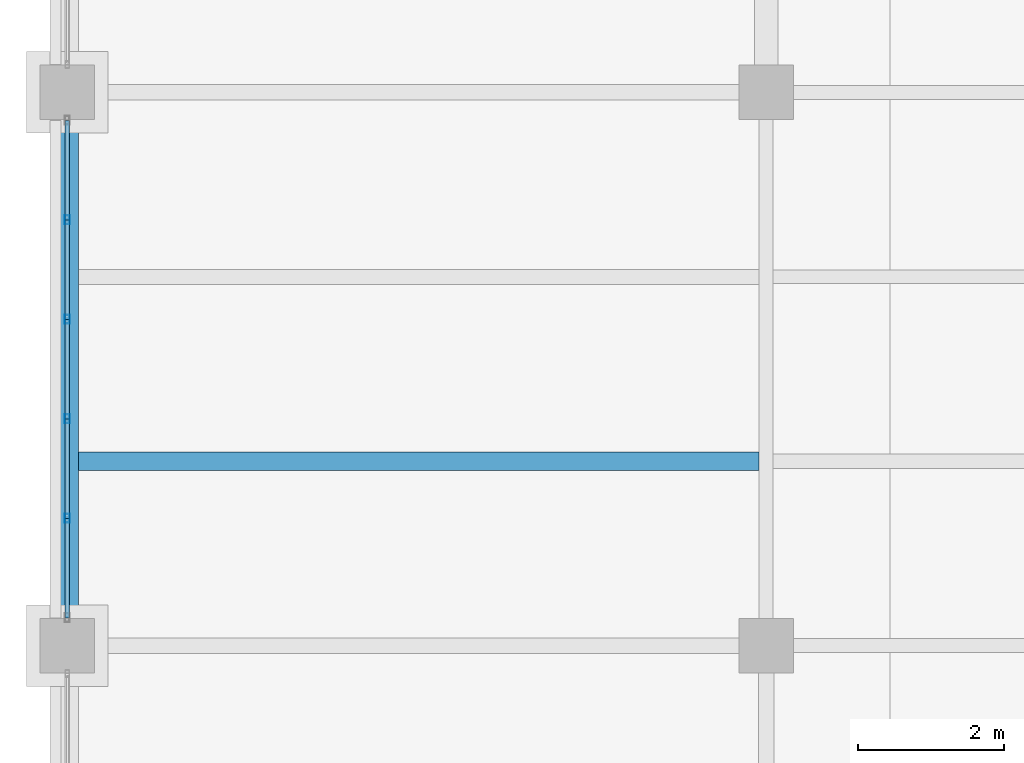
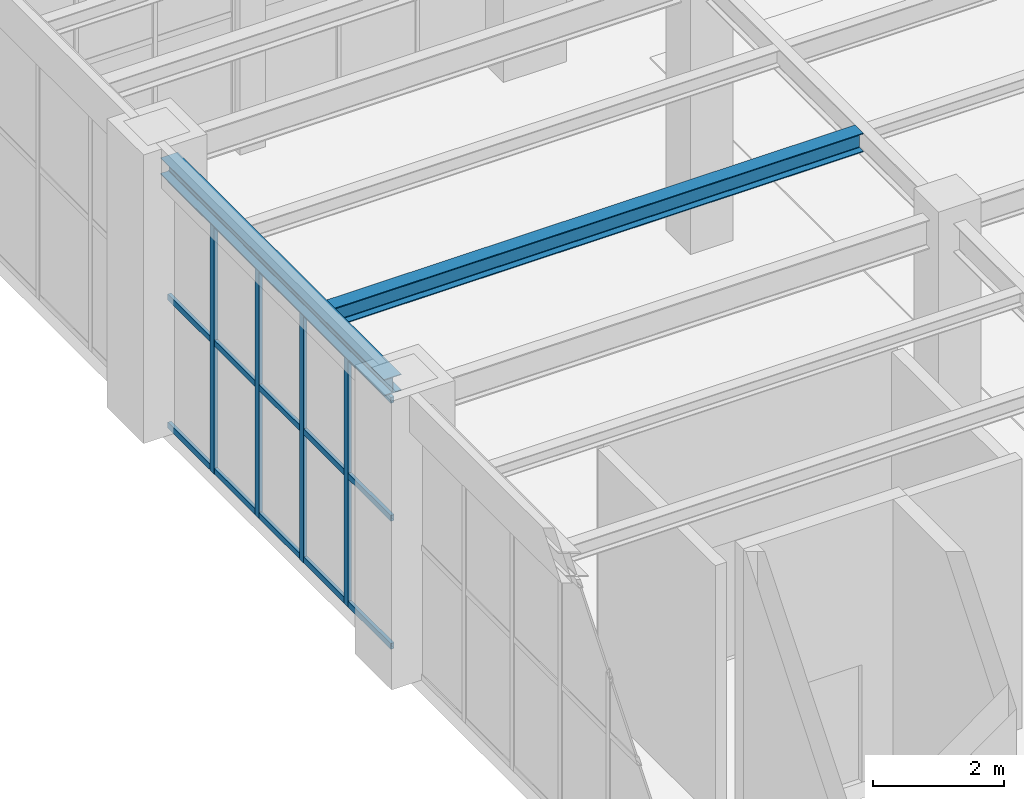
# One storey, part 72 of 164: 19 members, 2 beams, 1 element without a shape of its own.
"""IFC4 building model written with IfcOpenShell, lengths in metres."""

from ifc_helpers import new_model, si_unit, direction, frame, origin, origin_2d, place, context, subcontext, project, spatial, hollow_rectangle, i_section, extrude, material, material_profile, profile_set, type_object, element, aggregate, save


model = new_model("IFC4")

# Units and contexts
model_context = context("Model", 3, precision=1e-05, world=origin(), true_north=direction((0.0, 1.0)))
body_context = subcontext(model_context, "Body", "Model", "MODEL_VIEW")
ifc_project = project(units=[si_unit("LENGTHUNIT", "METRE"), si_unit("AREAUNIT", "SQUARE_METRE"), si_unit("VOLUMEUNIT", "CUBIC_METRE"), si_unit("PLANEANGLEUNIT", "RADIAN"), si_unit("MASSUNIT", "GRAM", prefix="KILO")], contexts=[model_context])

# Site, building, storey
site_placement = place(None, origin())
site = spatial("IfcSite", under=ifc_project, at=site_placement, CompositionType="ELEMENT")
building_placement = place(site_placement, origin())
building = spatial("IfcBuilding", under=site, at=building_placement, Name="Mavantir Sound Aquarium", CompositionType="ELEMENT")
storey_placement = place(building_placement, origin())
storey = spatial("IfcBuildingStorey", under=building, at=storey_placement, Name="L00", CompositionType="ELEMENT", Elevation=0.0)

# Beams
ifc_material_1 = material(Name="Structural Steel ASTM A992 Gr50", Category="steel")
ifc_material_profile_1 = material_profile(ifc_material_1, i_section(OverallWidth=0.304931640625, OverallDepth=0.30810546875, WebThickness=0.010009765625, FlangeThickness=0.015380859375, FilletRadius=0.014892578125, at=origin_2d()), Name="W310X97")
ifc_profile_set_1 = profile_set([ifc_material_profile_1], Name="Structural Steel ASTM A992 Gr50")
beam_type_1 = type_object("IfcBeamType", Name="BM-W310X97-E", PredefinedType="SPANDREL", material=ifc_profile_set_1)
beam_1_placement = place(storey_placement, frame((0.0, 103.175048828125, 4.94189453125), z_axis=(0.0, 1.0, 0.0), x_axis=(-1.0, 0.0, 0.0)))
element("IfcBeam", 1, at=beam_1_placement, inside=storey, type_object=beam_type_1, Name="L00 primary girder SS-31A 1052", PredefinedType="SPANDREL", context=body_context, shape_type="SweptSolid", body=[
    extrude(i_section(OverallWidth=0.304931640625, OverallDepth=0.30810546875, WebThickness=0.010009765625, FlangeThickness=0.015380859375, FilletRadius=0.014892578125, at=origin_2d()), origin(), (0.0, 0.0, 1.0), 6.849853515625),
])
ifc_material_profile_2 = material_profile(ifc_material_1, i_section(OverallWidth=0.25390625, OverallDepth=0.35302734375, WebThickness=0.009521484375, FlangeThickness=0.016357421875, FilletRadius=0.014892578125, at=origin_2d()), Name="W360X91")
ifc_profile_set_2 = profile_set([ifc_material_profile_2], Name="Structural Steel ASTM A992 Gr50")
beam_type_2 = type_object("IfcBeamType", Name="BM-W360X91-I", PredefinedType="JOIST", material=ifc_profile_set_2)
beam_2_placement = place(storey_placement, frame((0.152587890625, 105.333251953125, 4.91943359375), z_axis=(1.0, 0.0, 0.0), x_axis=(0.0, 1.0, 0.0)))
element("IfcBeam", 2, at=beam_2_placement, inside=storey, type_object=beam_type_2, Name="L00 secondary floor joist SJ-36 594", PredefinedType="JOIST", context=body_context, shape_type="SweptSolid", body=[
    extrude(i_section(OverallWidth=0.25390625, OverallDepth=0.35302734375, WebThickness=0.009521484375, FlangeThickness=0.016357421875, FilletRadius=0.014892578125, at=origin_2d()), origin(), (0.0, 0.0, 1.0), 9.350341796875),
])

# Curtain wall, members
ifc_material_2 = material(Name="Anodised Marine Aluminium and Low-E Glass", Category="aluminium")
curtain_wall_type = type_object("IfcCurtainWallType", Name="CW-T20", PredefinedType="USERDEFINED", material=ifc_material_2)
curtain_wall_placement = place(storey_placement, origin())
curtain_wall = element("IfcCurtainWall", 3, at=curtain_wall_placement, inside=storey, type_object=curtain_wall_type, Name="L00 unitised curtain wall CW-20 44", ObjectType="UNITISED GLAZING", PredefinedType="USERDEFINED")
ifc_material_3 = material(Name="Anodised Marine Aluminium 6063-T6", Category="aluminium")
ifc_material_profile_3 = material_profile(ifc_material_3, hollow_rectangle(XDim=0.06494140625, YDim=0.1201171875, WallThickness=0.00390625, at=origin_2d()), Name="ALU-MULLION-120X65")
ifc_profile_set_3 = profile_set([ifc_material_profile_3], Name="Anodised Marine Aluminium 6063-T6")
member_type_1 = type_object("IfcMemberType", Name="CW-MUL-120", PredefinedType="MULLION", material=ifc_profile_set_3)
member_1_placement = place(storey_placement, frame((0.0, 108.650146484375, 0.0), z_axis=(0.0, 0.0, 1.0), x_axis=(1.0, 0.0, 0.0)))
member_1 = element("IfcMember", 4, at=member_1_placement, type_object=member_type_1, Name="CW-L00-044 vertical mullion 2", PredefinedType="MULLION", context=body_context, shape_type="SweptSolid", body=[
    extrude(hollow_rectangle(XDim=0.06494140625, YDim=0.1201171875, WallThickness=0.00390625, at=origin_2d()), origin(), (0.0, 0.0, 1.0), 4.712890625),
])
member_2_placement = place(storey_placement, frame((0.0, 107.283447265625, 0.0), z_axis=(0.0, 0.0, 1.0), x_axis=(1.0, 0.0, 0.0)))
member_2 = element("IfcMember", 5, at=member_2_placement, type_object=member_type_1, Name="CW-L00-044 vertical mullion 3", PredefinedType="MULLION", context=body_context, shape_type="SweptSolid", body=[
    extrude(hollow_rectangle(XDim=0.06494140625, YDim=0.1201171875, WallThickness=0.00390625, at=origin_2d()), origin(), (0.0, 0.0, 1.0), 4.712890625),
])
member_3_placement = place(storey_placement, frame((0.0, 105.91650390625, 0.0), z_axis=(0.0, 0.0, 1.0), x_axis=(1.0, 0.0, 0.0)))
member_3 = element("IfcMember", 6, at=member_3_placement, type_object=member_type_1, Name="CW-L00-044 vertical mullion 4", PredefinedType="MULLION", context=body_context, shape_type="SweptSolid", body=[
    extrude(hollow_rectangle(XDim=0.06494140625, YDim=0.1201171875, WallThickness=0.00390625, at=origin_2d()), origin(), (0.0, 0.0, 1.0), 4.712890625),
])
member_4_placement = place(storey_placement, frame((0.0, 104.5498046875, 0.0), z_axis=(0.0, 0.0, 1.0), x_axis=(1.0, 0.0, 0.0)))
member_4 = element("IfcMember", 7, at=member_4_placement, type_object=member_type_1, Name="CW-L00-044 vertical mullion 5", PredefinedType="MULLION", context=body_context, shape_type="SweptSolid", body=[
    extrude(hollow_rectangle(XDim=0.06494140625, YDim=0.1201171875, WallThickness=0.00390625, at=origin_2d()), origin(), (0.0, 0.0, 1.0), 4.712890625),
])
ifc_material_profile_4 = material_profile(ifc_material_3, hollow_rectangle(XDim=0.06005859375, YDim=0.110107421875, WallThickness=0.00390625, at=origin_2d()), Name="ALU-TRANSOM-110X60")
ifc_profile_set_4 = profile_set([ifc_material_profile_4], Name="Anodised Marine Aluminium 6063-T6")
member_type_2 = type_object("IfcMemberType", Name="CW-TRN-110", PredefinedType="USERDEFINED", material=ifc_profile_set_4)
member_5_placement = place(storey_placement, frame((0.0, 110.01708984375, 0.054931640625), z_axis=(0.0, -1.0, 0.0), x_axis=(1.0, 0.0, 0.0)))
member_5 = element("IfcMember", 8, at=member_5_placement, type_object=member_type_2, Name="CW-L00-044 transom 1.1", ObjectType="TRANSOM", PredefinedType="USERDEFINED", context=body_context, shape_type="SweptSolid", body=[
    extrude(hollow_rectangle(XDim=0.06005859375, YDim=0.110107421875, WallThickness=0.00390625, at=origin_2d()), origin(), (0.0, 0.0, 1.0), 1.366943359375),
])
member_6_placement = place(storey_placement, frame((0.0, 110.01708984375, 2.45068359375), z_axis=(0.0, -1.0, 0.0), x_axis=(1.0, 0.0, 0.0)))
member_6 = element("IfcMember", 9, at=member_6_placement, type_object=member_type_2, Name="CW-L00-044 transom 1.2", ObjectType="TRANSOM", PredefinedType="USERDEFINED", context=body_context, shape_type="SweptSolid", body=[
    extrude(hollow_rectangle(XDim=0.06005859375, YDim=0.110107421875, WallThickness=0.00390625, at=origin_2d()), origin(), (0.0, 0.0, 1.0), 1.366943359375),
])
member_7_placement = place(storey_placement, frame((0.0, 110.01708984375, 4.657958984375), z_axis=(0.0, -1.0, 0.0), x_axis=(1.0, 0.0, 0.0)))
member_7 = element("IfcMember", 10, at=member_7_placement, type_object=member_type_2, Name="CW-L00-044 transom 1.3", ObjectType="TRANSOM", PredefinedType="USERDEFINED", context=body_context, shape_type="SweptSolid", body=[
    extrude(hollow_rectangle(XDim=0.06005859375, YDim=0.110107421875, WallThickness=0.00390625, at=origin_2d()), origin(), (0.0, 0.0, 1.0), 1.366943359375),
])
member_8_placement = place(storey_placement, frame((0.0, 108.650146484375, 0.054931640625), z_axis=(0.0, -1.0, 0.0), x_axis=(1.0, 0.0, 0.0)))
member_8 = element("IfcMember", 11, at=member_8_placement, type_object=member_type_2, Name="CW-L00-044 transom 2.1", ObjectType="TRANSOM", PredefinedType="USERDEFINED", context=body_context, shape_type="SweptSolid", body=[
    extrude(hollow_rectangle(XDim=0.06005859375, YDim=0.110107421875, WallThickness=0.00390625, at=origin_2d()), origin(), (0.0, 0.0, 1.0), 1.36669921875),
])
member_9_placement = place(storey_placement, frame((0.0, 108.650146484375, 2.45068359375), z_axis=(0.0, -1.0, 0.0), x_axis=(1.0, 0.0, 0.0)))
member_9 = element("IfcMember", 12, at=member_9_placement, type_object=member_type_2, Name="CW-L00-044 transom 2.2", ObjectType="TRANSOM", PredefinedType="USERDEFINED", context=body_context, shape_type="SweptSolid", body=[
    extrude(hollow_rectangle(XDim=0.06005859375, YDim=0.110107421875, WallThickness=0.00390625, at=origin_2d()), origin(), (0.0, 0.0, 1.0), 1.36669921875),
])
member_10_placement = place(storey_placement, frame((0.0, 108.650146484375, 4.657958984375), z_axis=(0.0, -1.0, 0.0), x_axis=(1.0, 0.0, 0.0)))
member_10 = element("IfcMember", 13, at=member_10_placement, type_object=member_type_2, Name="CW-L00-044 transom 2.3", ObjectType="TRANSOM", PredefinedType="USERDEFINED", context=body_context, shape_type="SweptSolid", body=[
    extrude(hollow_rectangle(XDim=0.06005859375, YDim=0.110107421875, WallThickness=0.00390625, at=origin_2d()), origin(), (0.0, 0.0, 1.0), 1.36669921875),
])
member_11_placement = place(storey_placement, frame((0.0, 107.283447265625, 0.054931640625), z_axis=(0.0, -1.0, 0.0), x_axis=(1.0, 0.0, 0.0)))
member_11 = element("IfcMember", 14, at=member_11_placement, type_object=member_type_2, Name="CW-L00-044 transom 3.1", ObjectType="TRANSOM", PredefinedType="USERDEFINED", context=body_context, shape_type="SweptSolid", body=[
    extrude(hollow_rectangle(XDim=0.06005859375, YDim=0.110107421875, WallThickness=0.00390625, at=origin_2d()), origin(), (0.0, 0.0, 1.0), 1.366943359375),
])
member_12_placement = place(storey_placement, frame((0.0, 107.283447265625, 2.45068359375), z_axis=(0.0, -1.0, 0.0), x_axis=(1.0, 0.0, 0.0)))
member_12 = element("IfcMember", 15, at=member_12_placement, type_object=member_type_2, Name="CW-L00-044 transom 3.2", ObjectType="TRANSOM", PredefinedType="USERDEFINED", context=body_context, shape_type="SweptSolid", body=[
    extrude(hollow_rectangle(XDim=0.06005859375, YDim=0.110107421875, WallThickness=0.00390625, at=origin_2d()), origin(), (0.0, 0.0, 1.0), 1.366943359375),
])
member_13_placement = place(storey_placement, frame((0.0, 107.283447265625, 4.657958984375), z_axis=(0.0, -1.0, 0.0), x_axis=(1.0, 0.0, 0.0)))
member_13 = element("IfcMember", 16, at=member_13_placement, type_object=member_type_2, Name="CW-L00-044 transom 3.3", ObjectType="TRANSOM", PredefinedType="USERDEFINED", context=body_context, shape_type="SweptSolid", body=[
    extrude(hollow_rectangle(XDim=0.06005859375, YDim=0.110107421875, WallThickness=0.00390625, at=origin_2d()), origin(), (0.0, 0.0, 1.0), 1.366943359375),
])
member_14_placement = place(storey_placement, frame((0.0, 105.91650390625, 0.054931640625), z_axis=(0.0, -1.0, 0.0), x_axis=(1.0, 0.0, 0.0)))
member_14 = element("IfcMember", 17, at=member_14_placement, type_object=member_type_2, Name="CW-L00-044 transom 4.1", ObjectType="TRANSOM", PredefinedType="USERDEFINED", context=body_context, shape_type="SweptSolid", body=[
    extrude(hollow_rectangle(XDim=0.06005859375, YDim=0.110107421875, WallThickness=0.00390625, at=origin_2d()), origin(), (0.0, 0.0, 1.0), 1.36669921875),
])
member_15_placement = place(storey_placement, frame((0.0, 105.91650390625, 2.45068359375), z_axis=(0.0, -1.0, 0.0), x_axis=(1.0, 0.0, 0.0)))
member_15 = element("IfcMember", 18, at=member_15_placement, type_object=member_type_2, Name="CW-L00-044 transom 4.2", ObjectType="TRANSOM", PredefinedType="USERDEFINED", context=body_context, shape_type="SweptSolid", body=[
    extrude(hollow_rectangle(XDim=0.06005859375, YDim=0.110107421875, WallThickness=0.00390625, at=origin_2d()), origin(), (0.0, 0.0, 1.0), 1.36669921875),
])
member_16_placement = place(storey_placement, frame((0.0, 105.91650390625, 4.657958984375), z_axis=(0.0, -1.0, 0.0), x_axis=(1.0, 0.0, 0.0)))
member_16 = element("IfcMember", 19, at=member_16_placement, type_object=member_type_2, Name="CW-L00-044 transom 4.3", ObjectType="TRANSOM", PredefinedType="USERDEFINED", context=body_context, shape_type="SweptSolid", body=[
    extrude(hollow_rectangle(XDim=0.06005859375, YDim=0.110107421875, WallThickness=0.00390625, at=origin_2d()), origin(), (0.0, 0.0, 1.0), 1.36669921875),
])
member_17_placement = place(storey_placement, frame((0.0, 104.5498046875, 0.054931640625), z_axis=(0.0, -1.0, 0.0), x_axis=(1.0, 0.0, 0.0)))
member_17 = element("IfcMember", 20, at=member_17_placement, type_object=member_type_2, Name="CW-L00-044 transom 5.1", ObjectType="TRANSOM", PredefinedType="USERDEFINED", context=body_context, shape_type="SweptSolid", body=[
    extrude(hollow_rectangle(XDim=0.06005859375, YDim=0.110107421875, WallThickness=0.00390625, at=origin_2d()), origin(), (0.0, 0.0, 1.0), 1.36669921875),
])
member_18_placement = place(storey_placement, frame((0.0, 104.5498046875, 2.45068359375), z_axis=(0.0, -1.0, 0.0), x_axis=(1.0, 0.0, 0.0)))
member_18 = element("IfcMember", 21, at=member_18_placement, type_object=member_type_2, Name="CW-L00-044 transom 5.2", ObjectType="TRANSOM", PredefinedType="USERDEFINED", context=body_context, shape_type="SweptSolid", body=[
    extrude(hollow_rectangle(XDim=0.06005859375, YDim=0.110107421875, WallThickness=0.00390625, at=origin_2d()), origin(), (0.0, 0.0, 1.0), 1.36669921875),
])
member_19_placement = place(storey_placement, frame((0.0, 104.5498046875, 4.657958984375), z_axis=(0.0, -1.0, 0.0), x_axis=(1.0, 0.0, 0.0)))
member_19 = element("IfcMember", 22, at=member_19_placement, type_object=member_type_2, Name="CW-L00-044 transom 5.3", ObjectType="TRANSOM", PredefinedType="USERDEFINED", context=body_context, shape_type="SweptSolid", body=[
    extrude(hollow_rectangle(XDim=0.06005859375, YDim=0.110107421875, WallThickness=0.00390625, at=origin_2d()), origin(), (0.0, 0.0, 1.0), 1.36669921875),
])
aggregate(curtain_wall, [member_1, member_2, member_3, member_4, member_5, member_6, member_7, member_8, member_9, member_10, member_11, member_12, member_13, member_14, member_15, member_16, member_17, member_18, member_19])

save(model, "model.ifc")
